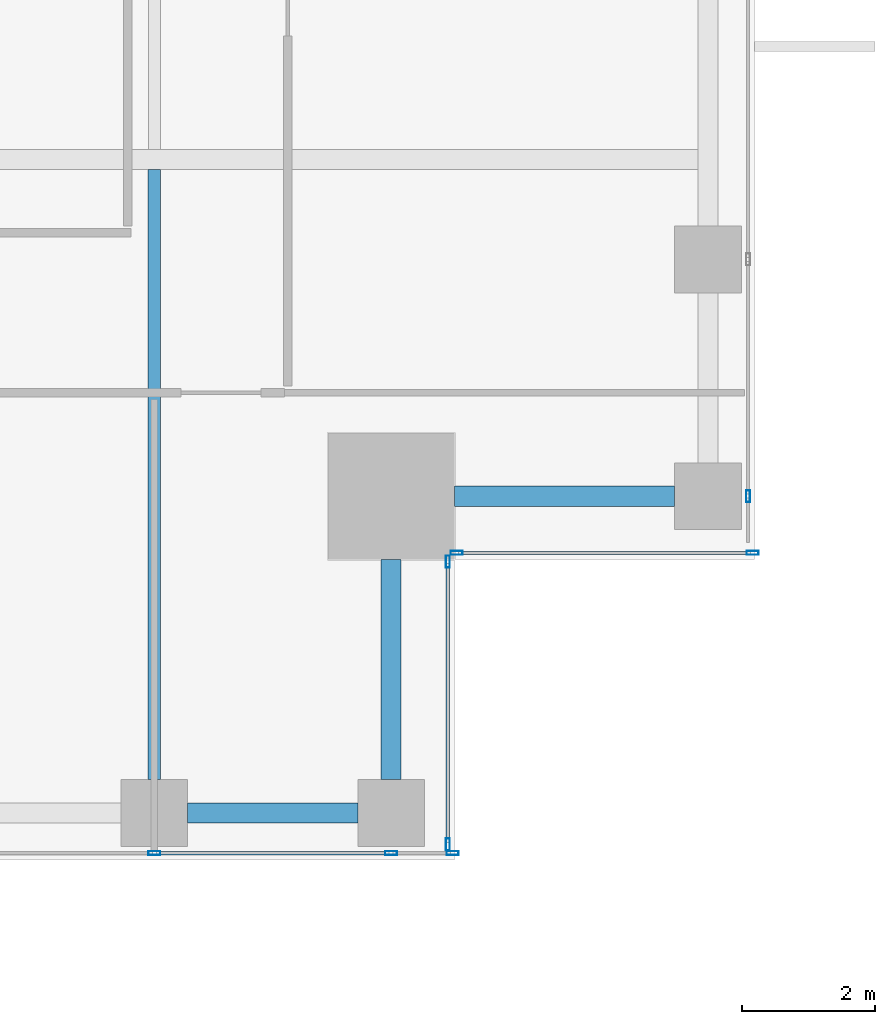
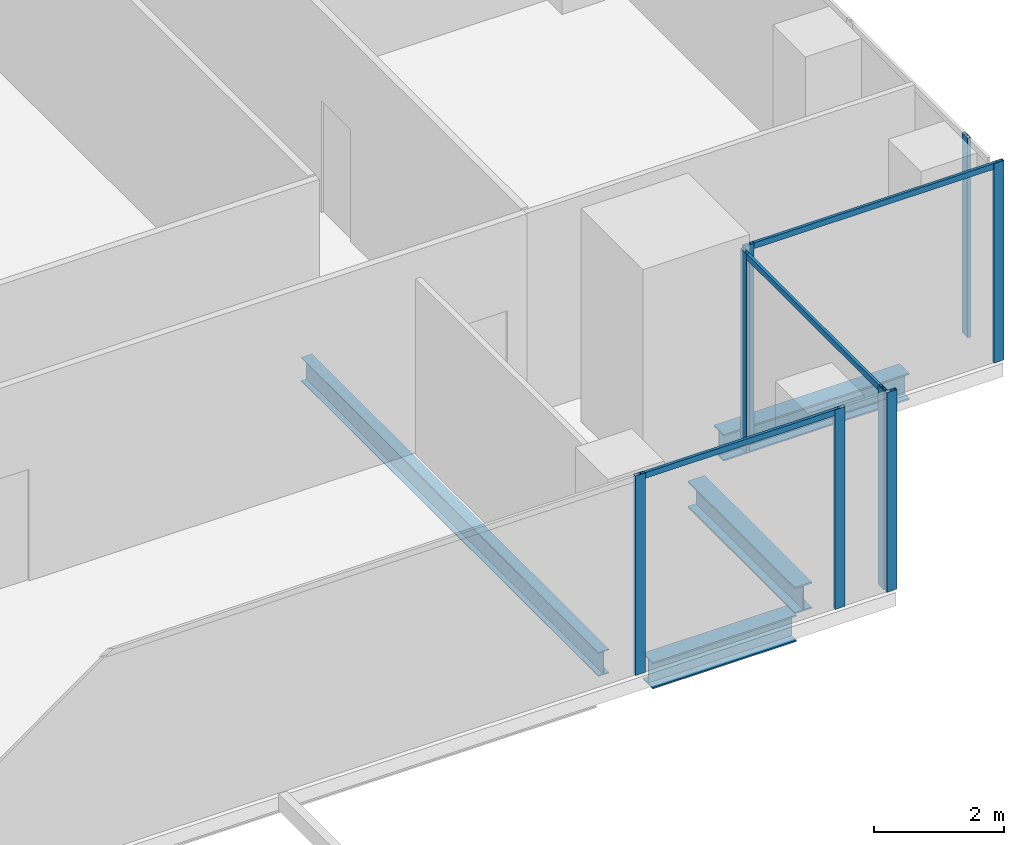
# One storey, part 10 of 40: 11 members, 4 beams, 4 elements without a shape of their own.
"""IFC4 building model written with IfcOpenShell, lengths in metres."""

from ifc_helpers import new_model, si_unit, direction, frame, origin, origin_2d, place, context, subcontext, project, spatial, hollow_rectangle, i_section, extrude, source, transform, mapped, material, material_profile, profile_set, type_object, element, aggregate, save


model = new_model("IFC4")

# Units and contexts
model_context = context("Model", 3, precision=1e-05, world=origin(), true_north=direction((0.0, 1.0)))
body_context = subcontext(model_context, "Body", "Model", "MODEL_VIEW")
ifc_project = project(units=[si_unit("LENGTHUNIT", "METRE"), si_unit("AREAUNIT", "SQUARE_METRE"), si_unit("VOLUMEUNIT", "CUBIC_METRE"), si_unit("PLANEANGLEUNIT", "RADIAN"), si_unit("MASSUNIT", "GRAM", prefix="KILO")], contexts=[model_context])

# Site, building, storey
site_placement = place(None, origin())
site = spatial("IfcSite", under=ifc_project, at=site_placement, CompositionType="ELEMENT")
building_placement = place(site_placement, origin())
building = spatial("IfcBuilding", under=site, at=building_placement, Name="Khomas Fold Tower", CompositionType="ELEMENT")
storey_placement = place(building_placement, frame((0.0, 0.0, 192.699951171875)))
storey = spatial("IfcBuildingStorey", under=building, at=storey_placement, Name="L42", CompositionType="ELEMENT", Elevation=192.699951171875)

# Beams
ifc_material_1 = material(Name="Steel S355", Category="steel")
ifc_material_profile_1 = material_profile(ifc_material_1, i_section(OverallWidth=0.300048828125, OverallDepth=0.5, WebThickness=0.014404296875, FlangeThickness=0.028076171875, at=origin_2d()), Name="HE 500 B")
ifc_profile_set_1 = profile_set([ifc_material_profile_1], Name="Steel S355")
beam_type_1 = type_object("IfcBeamType", Name="HE 500 B spandrel SB3", PredefinedType="SPANDREL", material=ifc_profile_set_1)
shared_shape_1 = source(origin(), body_context, "Body", "SweptSolid", [
    extrude(i_section(OverallWidth=0.300048828125, OverallDepth=0.5, WebThickness=0.014404296875, FlangeThickness=0.028076171875, at=origin_2d()), origin(), (0.0, 0.0, 1.0), 2.550048828125),
])
beam_1_placement = place(storey_placement, frame((42.5, 3.699951171875, -0.5), z_axis=(1.0, 0.0, 0.0), x_axis=(0.0, 1.0, 0.0)))
element("IfcBeam", 1, at=beam_1_placement, inside=storey, type_object=beam_type_1, Name="SB3", PredefinedType="SPANDREL", context=body_context, shape_type="MappedRepresentation", body=[
    mapped(shared_shape_1, transform((0.0, 0.0, 0.0))),
])
shared_shape_2 = source(origin(), body_context, "Body", "SweptSolid", [
    extrude(i_section(OverallWidth=0.300048828125, OverallDepth=0.5, WebThickness=0.014404296875, FlangeThickness=0.028076171875, at=origin_2d()), origin(), (0.0, 0.0, 1.0), 3.300048828125),
])
for number, where, z_axis, x_axis, name in (
    (2, (45.550048828125, 4.199951171875, -0.5), (0.0, 1.0, 0.0), (-1.0, 0.0, 0.0), "SB3"),
    (3, (46.5, 8.449951171875, -0.5), (1.0, 0.0, 0.0), (0.0, 1.0, 0.0), "SB3"),
):
    element("IfcBeam", number, at=place(storey_placement, frame(where, z_axis=z_axis, x_axis=x_axis)), inside=storey, type_object=beam_type_1, Name=name, PredefinedType="SPANDREL", context=body_context, shape_type="MappedRepresentation", body=[
        mapped(shared_shape_2, transform((0.0, 0.0, 0.0))),
    ])
ifc_material_2 = material(Name="Steel S355", Category="steel")
ifc_material_profile_2 = material_profile(ifc_material_2, i_section(OverallWidth=0.18994140625, OverallDepth=0.449951171875, WebThickness=0.009521484375, FlangeThickness=0.0146484375, at=origin_2d()), Name="IPE 450")
ifc_profile_set_2 = profile_set([ifc_material_profile_2], Name="Steel S355")
beam_type_2 = type_object("IfcBeamType", Name="IPE 450 beam JB4", PredefinedType="BEAM", material=ifc_profile_set_2)
shared_shape_3 = source(origin(), body_context, "Body", "SweptSolid", [
    extrude(i_section(OverallWidth=0.18994140625, OverallDepth=0.449951171875, WebThickness=0.009521484375, FlangeThickness=0.0146484375, at=origin_2d()), origin(), (0.0, 0.0, 1.0), 9.150146484375),
])
beam_2_placement = place(storey_placement, frame((42.0, 4.199951171875, -0.474853515625), z_axis=(0.0, 1.0, 0.0), x_axis=(-1.0, 0.0, 0.0)))
element("IfcBeam", 4, at=beam_2_placement, inside=storey, type_object=beam_type_2, Name="JB4", PredefinedType="BEAM", context=body_context, shape_type="MappedRepresentation", body=[
    mapped(shared_shape_3, transform((0.0, 0.0, 0.0))),
])

# Curtain wall, members
ifc_material_3 = material(Name="Aluminium framed double glazing", Category="aluminium")
curtain_wall_type = type_object("IfcCurtainWallType", Name="SK-Unitised clear-glass wall, office floors CW2", PredefinedType="NOTDEFINED", material=ifc_material_3)
curtain_wall_1_placement = place(storey_placement, origin())
curtain_wall_1 = element("IfcCurtainWall", 5, at=curtain_wall_1_placement, inside=storey, type_object=curtain_wall_type, Name="CW2 run L42 00-0", PredefinedType="NOTDEFINED")
ifc_material_4 = material(Name="Aluminium", Category="aluminium")
ifc_material_profile_3 = material_profile(ifc_material_4, hollow_rectangle(XDim=0.06005859375, YDim=0.179931640625, WallThickness=0.00390625, at=origin_2d()), Name="SK-Unitised clear-glass wall, office floors mullion CW2-M")
ifc_profile_set_3 = profile_set([ifc_material_profile_3], Name="Aluminium")
member_type_1 = type_object("IfcMemberType", Name="SK-Unitised clear-glass wall, office floors mullion CW2-M", PredefinedType="MULLION", material=ifc_profile_set_3)
shared_shape_4 = source(origin(), body_context, "Body", "SweptSolid", [
    extrude(hollow_rectangle(XDim=0.06005859375, YDim=0.179931640625, WallThickness=0.00390625, at=origin_2d()), origin(), (0.0, 0.0, 1.0), 3.75),
])
member_1_placement = place(storey_placement, frame((42.0, 3.10009765625, 0.0), z_axis=(0.0, 0.0, 1.0), x_axis=(0.0, 1.0, 0.0)))
member_1 = element("IfcMember", 6, at=member_1_placement, type_object=member_type_1, Name="CW2 mullion 5", PredefinedType="MULLION", context=body_context, shape_type="MappedRepresentation", body=[
    mapped(shared_shape_4, transform((0.0, 0.0, 0.0))),
])
member_2_placement = place(storey_placement, frame((45.550048828125, 3.10009765625, 0.0), z_axis=(0.0, 0.0, 1.0), x_axis=(0.0, 1.0, 0.0)))
member_2 = element("IfcMember", 7, at=member_2_placement, type_object=member_type_1, Name="CW2 mullion 6", PredefinedType="MULLION", context=body_context, shape_type="MappedRepresentation", body=[
    mapped(shared_shape_4, transform((0.0, 0.0, 0.0))),
])
member_3_placement = place(storey_placement, frame((46.469970703125, 3.10009765625, 0.0), z_axis=(0.0, 0.0, 1.0), x_axis=(0.0, 1.0, 0.0)))
member_3 = element("IfcMember", 8, at=member_3_placement, type_object=member_type_1, Name="CW2 mullion 7", PredefinedType="MULLION", context=body_context, shape_type="MappedRepresentation", body=[
    mapped(shared_shape_4, transform((0.0, 0.0, 0.0))),
])

curtain_wall_2_placement = place(storey_placement, origin())
curtain_wall_2 = element("IfcCurtainWall", 9, at=curtain_wall_2_placement, inside=storey, type_object=curtain_wall_type, Name="CW2 corner return L42 01", PredefinedType="NOTDEFINED")
member_4_placement = place(storey_placement, frame((46.39990234375, 3.22998046875, 0.0), z_axis=(0.0, 0.0, 1.0), x_axis=(-1.0, 0.0, 0.0)))
member_4 = element("IfcMember", 10, at=member_4_placement, type_object=member_type_1, Name="CW2 mullion 1", PredefinedType="MULLION", context=body_context, shape_type="MappedRepresentation", body=[
    mapped(shared_shape_4, transform((0.0, 0.0, 0.0))),
])
member_5_placement = place(storey_placement, frame((46.39990234375, 7.469970703125, 0.0), z_axis=(0.0, 0.0, 1.0), x_axis=(-1.0, 0.0, 0.0)))
member_5 = element("IfcMember", 11, at=member_5_placement, type_object=member_type_1, Name="CW2 mullion 2", PredefinedType="MULLION", context=body_context, shape_type="MappedRepresentation", body=[
    mapped(shared_shape_4, transform((0.0, 0.0, 0.0))),
])

curtain_wall_3_placement = place(storey_placement, origin())
curtain_wall_3 = element("IfcCurtainWall", 12, at=curtain_wall_3_placement, inside=storey, type_object=curtain_wall_type, Name="CW2 corner return L42 02", PredefinedType="NOTDEFINED")
member_6_placement = place(storey_placement, frame((46.530029296875, 7.60009765625, 0.0), z_axis=(0.0, 0.0, 1.0), x_axis=(0.0, 1.0, 0.0)))
member_6 = element("IfcMember", 13, at=member_6_placement, type_object=member_type_1, Name="CW2 mullion 1", PredefinedType="MULLION", context=body_context, shape_type="MappedRepresentation", body=[
    mapped(shared_shape_4, transform((0.0, 0.0, 0.0))),
])
member_7_placement = place(storey_placement, frame((50.969970703125, 7.60009765625, 0.0), z_axis=(0.0, 0.0, 1.0), x_axis=(0.0, 1.0, 0.0)))
member_7 = element("IfcMember", 14, at=member_7_placement, type_object=member_type_1, Name="CW2 mullion 2", PredefinedType="MULLION", context=body_context, shape_type="MappedRepresentation", body=[
    mapped(shared_shape_4, transform((0.0, 0.0, 0.0))),
])

# Curtain wall, member
curtain_wall_4_placement = place(storey_placement, origin())
curtain_wall_4 = element("IfcCurtainWall", 15, at=curtain_wall_4_placement, inside=storey, type_object=curtain_wall_type, Name="CW2 run L42 03-0", PredefinedType="NOTDEFINED")
member_8_placement = place(storey_placement, frame((50.89990234375, 8.449951171875, 0.0), z_axis=(0.0, 0.0, 1.0), x_axis=(-1.0, 0.0, 0.0)))
member_8 = element("IfcMember", 16, at=member_8_placement, type_object=member_type_1, Name="CW2 mullion 2", PredefinedType="MULLION", context=body_context, shape_type="MappedRepresentation", body=[
    mapped(shared_shape_4, transform((0.0, 0.0, 0.0))),
])
aggregate(curtain_wall_4, [member_8])

# Member
ifc_material_5 = material(Name="Aluminium", Category="aluminium")
ifc_material_profile_4 = material_profile(ifc_material_5, hollow_rectangle(XDim=0.050048828125, YDim=0.110107421875, WallThickness=0.00390625, at=origin_2d()), Name="SK-Unitised clear-glass wall, office floors transom CW2-T")
ifc_profile_set_4 = profile_set([ifc_material_profile_4], Name="Aluminium")
member_type_2 = type_object("IfcMemberType", Name="SK-Unitised clear-glass wall, office floors transom CW2-T", PredefinedType="USERDEFINED", material=ifc_profile_set_4)
shared_shape_5 = source(origin(), body_context, "Body", "SweptSolid", [
    extrude(hollow_rectangle(XDim=0.050048828125, YDim=0.110107421875, WallThickness=0.00390625, at=origin_2d()), origin(), (0.0, 0.0, 1.0), 4.3798828125),
])
member_9_placement = place(storey_placement, frame((46.56005859375, 7.60009765625, 3.695068359375), z_axis=(1.0, 0.0, 0.0), x_axis=(0.0, 1.0, 0.0)))
member_9 = element("IfcMember", 17, at=member_9_placement, type_object=member_type_2, Name="CW2 transom 1", ObjectType="TRANSOM", PredefinedType="USERDEFINED", context=body_context, shape_type="MappedRepresentation", body=[
    mapped(shared_shape_5, transform((0.0, 0.0, 0.0))),
])

aggregate(curtain_wall_3, [member_6, member_7, member_9])

shared_shape_6 = source(origin(), body_context, "Body", "SweptSolid", [
    extrude(hollow_rectangle(XDim=0.050048828125, YDim=0.110107421875, WallThickness=0.00390625, at=origin_2d()), origin(), (0.0, 0.0, 1.0), 3.489990234375),
])
member_10_placement = place(storey_placement, frame((42.030029296875, 3.10009765625, 3.695068359375), z_axis=(1.0, 0.0, 0.0), x_axis=(0.0, 1.0, 0.0)))
member_10 = element("IfcMember", 18, at=member_10_placement, type_object=member_type_2, Name="CW2 transom 5", ObjectType="TRANSOM", PredefinedType="USERDEFINED", context=body_context, shape_type="MappedRepresentation", body=[
    mapped(shared_shape_6, transform((0.0, 0.0, 0.0))),
])

aggregate(curtain_wall_1, [member_1, member_2, member_3, member_10])

shared_shape_7 = source(origin(), body_context, "Body", "SweptSolid", [
    extrude(hollow_rectangle(XDim=0.050048828125, YDim=0.110107421875, WallThickness=0.00390625, at=origin_2d()), origin(), (0.0, 0.0, 1.0), 4.179931640625),
])
member_11_placement = place(storey_placement, frame((46.39990234375, 3.260009765625, 3.695068359375), z_axis=(0.0, 1.0, 0.0), x_axis=(-1.0, 0.0, 0.0)))
member_11 = element("IfcMember", 19, at=member_11_placement, type_object=member_type_2, Name="CW2 transom 1", ObjectType="TRANSOM", PredefinedType="USERDEFINED", context=body_context, shape_type="MappedRepresentation", body=[
    mapped(shared_shape_7, transform((0.0, 0.0, 0.0))),
])

aggregate(curtain_wall_2, [member_4, member_5, member_11])

save(model, "model.ifc")
